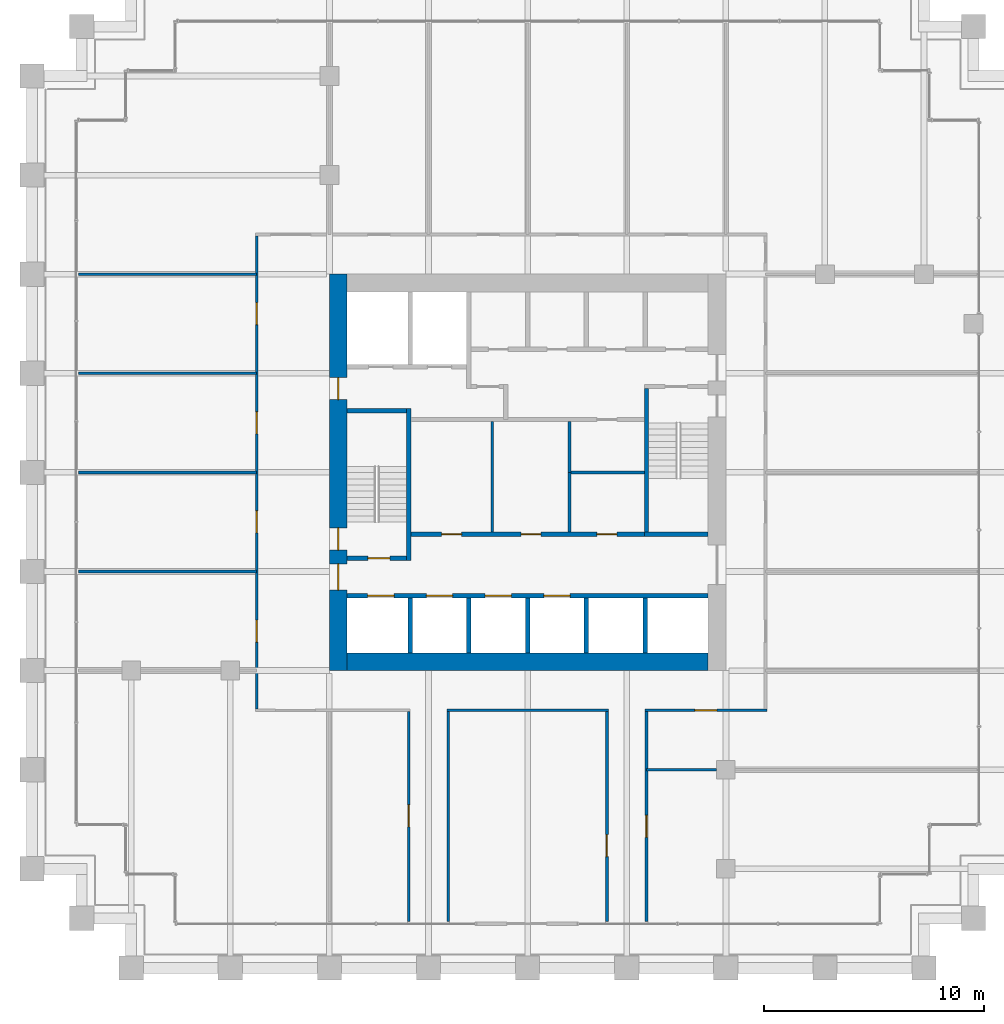
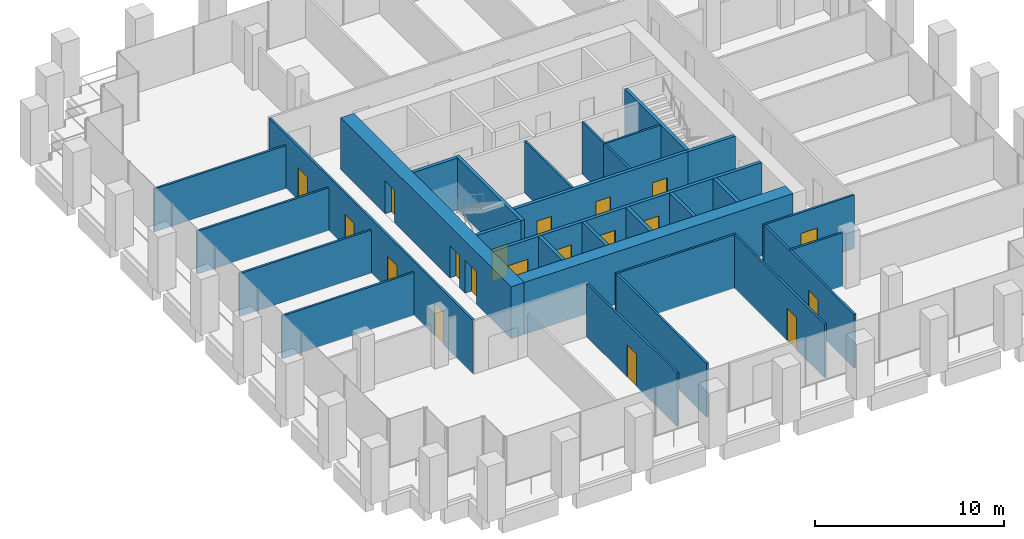
# One storey, part 50 of 56: 30 walls, 19 doors, 19 openings.
"""IFC4 building model written with IfcOpenShell, lengths in metres."""

from ifc_helpers import new_model, si_unit, direction, frame, frame_2d, origin, place, context, subcontext, project, spatial, rectangle, extrude, material, layer, layer_set, type_object, element, fill, save


model = new_model("IFC4")

# Units and contexts
model_context = context("Model", 3, precision=1e-05, world=origin(), true_north=direction((0.0, 1.0)))
body_context = subcontext(model_context, "Body", "Model", "MODEL_VIEW")
ifc_project = project(units=[si_unit("LENGTHUNIT", "METRE"), si_unit("AREAUNIT", "SQUARE_METRE"), si_unit("VOLUMEUNIT", "CUBIC_METRE"), si_unit("PLANEANGLEUNIT", "RADIAN"), si_unit("MASSUNIT", "GRAM", prefix="KILO")], contexts=[model_context])

# Site, building, storey
site_placement = place(None, origin())
site = spatial("IfcSite", under=ifc_project, at=site_placement, CompositionType="ELEMENT")
building_placement = place(site_placement, origin())
building = spatial("IfcBuilding", under=site, at=building_placement, Name="Altepetl Exchange Towers", CompositionType="ELEMENT")
storey_placement = place(building_placement, frame((0.0, 0.0, 69.0)))
storey = spatial("IfcBuildingStorey", under=building, at=storey_placement, Name="L16", CompositionType="ELEMENT", Elevation=69.0)

# Wall
ifc_material_1 = material(Name="Concrete C70/85", Category="concrete")
ifc_layer_1 = layer(ifc_material_1, 0.800048828125)
ifc_layer_set_1 = layer_set([ifc_layer_1], Name="Concrete C70/85")
wall_type_1 = type_object("IfcWallType", Name="Core wall 800 reinforced concrete", PredefinedType="SHEAR", material=ifc_layer_set_1)
wall_1_placement = place(storey_placement, frame((41.300048828125, 40.89990234375, 0.0)))
element("IfcWall", 1, at=wall_1_placement, inside=storey, type_object=wall_type_1, Name="wall:A:L16:K-coreS", PredefinedType="SHEAR", context=body_context, shape_type="SweptSolid", body=[
    extrude(rectangle(XDim=16.39990234375, YDim=0.800048828125, at=frame_2d((8.199951171875, 0.0))), origin(), (0.0, 0.0, 1.0), 3.35009765625),
])

# Wall, openings, doors
wall_2_placement = place(storey_placement, frame((40.89990234375, 40.5, 0.0), z_axis=(0.0, 0.0, 1.0), x_axis=(0.0, 1.0, 0.0)))
wall_2 = element("IfcWall", 2, at=wall_2_placement, inside=storey, type_object=wall_type_1, Name="wall:A:L16:K-coreW", PredefinedType="SHEAR", context=body_context, shape_type="SweptSolid", body=[
    extrude(rectangle(XDim=18.0, YDim=0.800048828125, at=frame_2d((9.0, 0.0))), origin(), (0.0, 0.0, 1.0), 3.35009765625),
])
opening_1_placement = place(wall_2_placement, frame((3.64990234375, 0.0, 0.0)))
opening_1 = element("IfcOpeningElement", 3, at=opening_1_placement, cuts=wall_2, Name="Opening L16.A62", PredefinedType="OPENING", context=body_context, shape_type="SweptSolid", body=[
    extrude(rectangle(XDim=1.199951171875, YDim=2.10009765625, at=frame_2d((0.60009765625, 1.050048828125))), frame((0.0, 0.41015625, 0.0), z_axis=(0.0, -1.0, 0.0), x_axis=(1.0, 0.0, 0.0)), (0.0, 0.0, 1.0), 0.820068359375),
])
opening_2_placement = place(wall_2_placement, frame((5.47509765625, 0.0, 0.0)))
opening_2 = element("IfcOpeningElement", 4, at=opening_2_placement, cuts=wall_2, Name="Opening L16.A64", PredefinedType="OPENING", context=body_context, shape_type="SweptSolid", body=[
    extrude(rectangle(XDim=1.0, YDim=2.10009765625, at=frame_2d((0.5, 1.050048828125))), frame((0.0, 0.41015625, 0.0), z_axis=(0.0, -1.0, 0.0), x_axis=(1.0, 0.0, 0.0)), (0.0, 0.0, 1.0), 0.820068359375),
])
opening_3_placement = place(wall_2_placement, frame((12.300048828125, 0.0, 0.0)))
opening_3 = element("IfcOpeningElement", 5, at=opening_3_placement, cuts=wall_2, Name="Opening L16.A68", PredefinedType="OPENING", context=body_context, shape_type="SweptSolid", body=[
    extrude(rectangle(XDim=1.0, YDim=2.10009765625, at=frame_2d((0.5, 1.050048828125))), frame((0.0, 0.41015625, 0.0), z_axis=(0.0, -1.0, 0.0), x_axis=(1.0, 0.0, 0.0)), (0.0, 0.0, 1.0), 0.820068359375),
])
ifc_material_2 = material(Name="Steel and timber fire door", Category="steel")
door_type_1 = type_object("IfcDoorType", Name="Fire door 1000 x 2100 stair and lobby", OperationType="SINGLE_SWING_LEFT", PredefinedType="DOOR", material=ifc_material_2)
door_1_placement = place(opening_2_placement, frame((1.0, 0.0, 0.0), x_axis=(-1.0, 0.0, 0.0)))
door_1 = element("IfcDoor", 6, at=door_1_placement, inside=storey, type_object=door_type_1, Name="door:A:L16:K-dS1x", OperationType="SINGLE_SWING_RIGHT", OverallHeight=2.10009765625, OverallWidth=1.0, PredefinedType="DOOR", context=body_context, shape_type="SweptSolid", body=[
    extrude(rectangle(XDim=1.0, YDim=2.10009765625, at=frame_2d((0.5, 1.050048828125))), frame((0.0, 0.02490234375, 0.0), z_axis=(0.0, -1.0, 0.0), x_axis=(1.0, 0.0, 0.0)), (0.0, 0.0, 1.0), 0.050048828125),
])
fill(opening_2, door_1)
door_2_placement = place(opening_3_placement, frame((1.0, 0.0, 0.0), x_axis=(-1.0, 0.0, 0.0)))
door_2 = element("IfcDoor", 7, at=door_2_placement, inside=storey, type_object=door_type_1, Name="door:A:L16:K-dffW", OperationType="SINGLE_SWING_LEFT", OverallHeight=2.10009765625, OverallWidth=1.0, PredefinedType="DOOR", context=body_context, shape_type="SweptSolid", body=[
    extrude(rectangle(XDim=1.0, YDim=2.10009765625, at=frame_2d((0.5, 1.050048828125))), frame((0.0, 0.02490234375, 0.0), z_axis=(0.0, -1.0, 0.0), x_axis=(1.0, 0.0, 0.0)), (0.0, 0.0, 1.0), 0.050048828125),
])
fill(opening_3, door_2)
door_type_2 = type_object("IfcDoorType", Name="Fire door 1200 x 2100 lobby entry", OperationType="SINGLE_SWING_LEFT", PredefinedType="DOOR", material=ifc_material_2)
door_3_placement = place(opening_1_placement, frame((1.199951171875, 0.0, 0.0), x_axis=(-1.0, 0.0, 0.0)))
door_3 = element("IfcDoor", 8, at=door_3_placement, inside=storey, type_object=door_type_2, Name="door:A:L16:K-dLSW", OperationType="SINGLE_SWING_LEFT", OverallHeight=2.10009765625, OverallWidth=1.199951171875, PredefinedType="DOOR", context=body_context, shape_type="SweptSolid", body=[
    extrude(rectangle(XDim=1.199951171875, YDim=2.10009765625, at=frame_2d((0.60009765625, 1.050048828125))), frame((0.0, 0.02490234375, 0.0), z_axis=(0.0, -1.0, 0.0), x_axis=(1.0, 0.0, 0.0)), (0.0, 0.0, 1.0), 0.050048828125),
])
fill(opening_1, door_3)

ifc_material_3 = material(Name="Concrete blockwork", Category="masonry")
ifc_layer_2 = layer(ifc_material_3, 0.199951171875)
ifc_layer_set_2 = layer_set([ifc_layer_2], Name="Concrete blockwork")
wall_type_2 = type_object("IfcWallType", Name="Lobby wall 200 blockwork", PredefinedType="PARTITIONING", material=ifc_layer_set_2)
wall_3_placement = place(storey_placement, frame((44.199951171875, 46.699951171875, 0.0)))
wall_3 = element("IfcWall", 9, at=wall_3_placement, inside=storey, type_object=wall_type_2, Name="wall:A:L16:K-zoneS", PredefinedType="PARTITIONING", context=body_context, shape_type="SweptSolid", body=[
    extrude(rectangle(XDim=10.60009765625, YDim=0.199951171875, at=frame_2d((5.300048828125, 0.0))), origin(), (0.0, 0.0, 1.0), 3.35009765625),
])
opening_4_placement = place(wall_3_placement, frame((1.39990234375, 0.0, 0.0)))
opening_4 = element("IfcOpeningElement", 10, at=opening_4_placement, cuts=wall_3, Name="Opening L16.A73", PredefinedType="OPENING", context=body_context, shape_type="SweptSolid", body=[
    extrude(rectangle(XDim=0.89990234375, YDim=2.10009765625, at=frame_2d((0.449951171875, 1.050048828125))), frame((0.0, 0.10986328125, 0.0), z_axis=(0.0, -1.0, 0.0), x_axis=(1.0, 0.0, 0.0)), (0.0, 0.0, 1.0), 0.219970703125),
])
opening_5_placement = place(wall_3_placement, frame((5.0, 0.0, 0.0)))
opening_5 = element("IfcOpeningElement", 11, at=opening_5_placement, cuts=wall_3, Name="Opening L16.A74", PredefinedType="OPENING", context=body_context, shape_type="SweptSolid", body=[
    extrude(rectangle(XDim=0.89990234375, YDim=2.10009765625, at=frame_2d((0.449951171875, 1.050048828125))), frame((0.0, 0.10986328125, 0.0), z_axis=(0.0, -1.0, 0.0), x_axis=(1.0, 0.0, 0.0)), (0.0, 0.0, 1.0), 0.219970703125),
])
opening_6_placement = place(wall_3_placement, frame((8.449951171875, 0.0, 0.0)))
opening_6 = element("IfcOpeningElement", 12, at=opening_6_placement, cuts=wall_3, Name="Opening L16.A75", PredefinedType="OPENING", context=body_context, shape_type="SweptSolid", body=[
    extrude(rectangle(XDim=0.89990234375, YDim=2.10009765625, at=frame_2d((0.449951171875, 1.050048828125))), frame((0.0, 0.10986328125, 0.0), z_axis=(0.0, -1.0, 0.0), x_axis=(1.0, 0.0, 0.0)), (0.0, 0.0, 1.0), 0.219970703125),
])
door_type_3 = type_object("IfcDoorType", Name="Fire door 900 x 2100 service room", OperationType="SINGLE_SWING_LEFT", PredefinedType="DOOR", material=ifc_material_2)
door_4_placement = place(opening_4_placement, origin())
door_4 = element("IfcDoor", 13, at=door_4_placement, inside=storey, type_object=door_type_3, Name="door:A:L16:K-dz1", OperationType="SINGLE_SWING_LEFT", OverallHeight=2.10009765625, OverallWidth=0.89990234375, PredefinedType="DOOR", context=body_context, shape_type="SweptSolid", body=[
    extrude(rectangle(XDim=0.89990234375, YDim=2.10009765625, at=frame_2d((0.449951171875, 1.050048828125))), frame((0.0, 0.02490234375, 0.0), z_axis=(0.0, -1.0, 0.0), x_axis=(1.0, 0.0, 0.0)), (0.0, 0.0, 1.0), 0.050048828125),
])
fill(opening_4, door_4)
door_5_placement = place(opening_5_placement, origin())
door_5 = element("IfcDoor", 14, at=door_5_placement, inside=storey, type_object=door_type_3, Name="door:A:L16:K-dz2", OperationType="SINGLE_SWING_RIGHT", OverallHeight=2.10009765625, OverallWidth=0.89990234375, PredefinedType="DOOR", context=body_context, shape_type="SweptSolid", body=[
    extrude(rectangle(XDim=0.89990234375, YDim=2.10009765625, at=frame_2d((0.449951171875, 1.050048828125))), frame((0.0, 0.02490234375, 0.0), z_axis=(0.0, -1.0, 0.0), x_axis=(1.0, 0.0, 0.0)), (0.0, 0.0, 1.0), 0.050048828125),
])
fill(opening_5, door_5)
door_6_placement = place(opening_6_placement, origin())
door_6 = element("IfcDoor", 15, at=door_6_placement, inside=storey, type_object=door_type_3, Name="door:A:L16:K-dz3", OperationType="SINGLE_SWING_RIGHT", OverallHeight=2.10009765625, OverallWidth=0.89990234375, PredefinedType="DOOR", context=body_context, shape_type="SweptSolid", body=[
    extrude(rectangle(XDim=0.89990234375, YDim=2.10009765625, at=frame_2d((0.449951171875, 1.050048828125))), frame((0.0, 0.02490234375, 0.0), z_axis=(0.0, -1.0, 0.0), x_axis=(1.0, 0.0, 0.0)), (0.0, 0.0, 1.0), 0.050048828125),
])
fill(opening_6, door_6)

# Walls
ifc_material_4 = material(Name="Gypsum board on steel studs", Category="steel")
ifc_layer_3 = layer(ifc_material_4, 0.125)
ifc_layer_set_3 = layer_set([ifc_layer_3], Name="Gypsum board on steel studs")
wall_type_3 = type_object("IfcWallType", Name="Partition 125 gypsum board on steel studs", PredefinedType="PARTITIONING", material=ifc_layer_set_3)
wall_4_placement = place(storey_placement, frame((47.89990234375, 46.800048828125, 0.0), z_axis=(0.0, 0.0, 1.0), x_axis=(0.0, 1.0, 0.0)))
element("IfcWall", 16, at=wall_4_placement, inside=storey, type_object=wall_type_3, Name="wall:A:L16:K-zp1", PredefinedType="PARTITIONING", context=body_context, shape_type="SweptSolid", body=[
    extrude(rectangle(XDim=5.0, YDim=0.125, at=frame_2d((2.5, 0.0))), origin(), (0.0, 0.0, 1.0), 3.35009765625),
])
wall_5_placement = place(storey_placement, frame((51.39990234375, 46.800048828125, 0.0), z_axis=(0.0, 0.0, 1.0), x_axis=(0.0, 1.0, 0.0)))
element("IfcWall", 17, at=wall_5_placement, inside=storey, type_object=wall_type_3, Name="wall:A:L16:K-zp2", PredefinedType="PARTITIONING", context=body_context, shape_type="SweptSolid", body=[
    extrude(rectangle(XDim=2.762451171875, YDim=0.125, at=frame_2d((1.38134765625, 0.0))), origin(), (0.0, 0.0, 1.0), 3.35009765625),
])
wall_6_placement = place(storey_placement, frame((54.800048828125, 49.5, 0.0), z_axis=(0.0, 0.0, 1.0), x_axis=(-1.0, 0.0, 0.0)))
element("IfcWall", 18, at=wall_6_placement, inside=storey, type_object=wall_type_3, Name="wall:A:L16:K-zp3", PredefinedType="PARTITIONING", context=body_context, shape_type="SweptSolid", body=[
    extrude(rectangle(XDim=3.337646484375, YDim=0.125, at=frame_2d((1.6689453125, 0.0))), origin(), (0.0, 0.0, 1.0), 3.35009765625),
])
wall_7_placement = place(storey_placement, frame((51.39990234375, 49.5, 0.0), z_axis=(0.0, 0.0, 1.0), x_axis=(0.0, 1.0, 0.0)))
element("IfcWall", 19, at=wall_7_placement, inside=storey, type_object=wall_type_3, Name="wall:A:L16:K-zp4", PredefinedType="PARTITIONING", context=body_context, shape_type="SweptSolid", body=[
    extrude(rectangle(XDim=2.300048828125, YDim=0.125, at=frame_2d((1.14990234375, 0.0))), origin(), (0.0, 0.0, 1.0), 3.35009765625),
])
wall_8_placement = place(storey_placement, frame((54.89990234375, 36.0, 0.0)))
element("IfcWall", 20, at=wall_8_placement, inside=storey, type_object=wall_type_3, Name="wall:A:L16:P01", PredefinedType="PARTITIONING", context=body_context, shape_type="SweptSolid", body=[
    extrude(rectangle(XDim=3.175048828125, YDim=0.125, at=frame_2d((1.58740234375, 0.0))), origin(), (0.0, 0.0, 1.0), 3.449951171875),
])
wall_9_placement = place(storey_placement, frame((45.83740234375, 38.699951171875, 0.0)))
element("IfcWall", 21, at=wall_9_placement, inside=storey, type_object=wall_type_3, Name="wall:A:L16:P04", PredefinedType="PARTITIONING", context=body_context, shape_type="SweptSolid", body=[
    extrude(rectangle(XDim=7.3251953125, YDim=0.125, at=frame_2d((3.66259765625, 0.0))), origin(), (0.0, 0.0, 1.0), 3.449951171875),
])

# Wall, opening, door
wall_10_placement = place(storey_placement, frame((54.83740234375, 38.699951171875, 0.0)))
wall_10 = element("IfcWall", 22, at=wall_10_placement, inside=storey, type_object=wall_type_3, Name="wall:A:L16:P05", PredefinedType="PARTITIONING", context=body_context, shape_type="SweptSolid", body=[
    extrude(rectangle(XDim=5.525146484375, YDim=0.125, at=frame_2d((2.7626953125, 0.0))), origin(), (0.0, 0.0, 1.0), 3.449951171875),
])
opening_7_placement = place(wall_10_placement, frame((2.262451171875, 0.0, 0.0)))
opening_7 = element("IfcOpeningElement", 23, at=opening_7_placement, cuts=wall_10, Name="Opening L16.A07", PredefinedType="OPENING", context=body_context, shape_type="SweptSolid", body=[
    extrude(rectangle(XDim=1.0, YDim=2.10009765625, at=frame_2d((0.5, 1.050048828125))), frame((0.0, 0.072509765625, 0.0), z_axis=(0.0, -1.0, 0.0), x_axis=(1.0, 0.0, 0.0)), (0.0, 0.0, 1.0), 0.14501953125),
])
door_type_4 = type_object("IfcDoorType", Name="Fire door 1000 x 2100 single leaf", OperationType="SINGLE_SWING_LEFT", PredefinedType="DOOR", material=ifc_material_2)
door_7_placement = place(opening_7_placement, frame((1.0, 0.0, 0.0), x_axis=(-1.0, 0.0, 0.0)))
door_7 = element("IfcDoor", 24, at=door_7_placement, inside=storey, type_object=door_type_4, Name="door:A:L16:07", OperationType="SINGLE_SWING_RIGHT", OverallHeight=2.10009765625, OverallWidth=1.0, PredefinedType="DOOR", context=body_context, shape_type="SweptSolid", body=[
    extrude(rectangle(XDim=1.0, YDim=2.10009765625, at=frame_2d((0.5, 1.050048828125))), frame((0.0, 0.02490234375, 0.0), z_axis=(0.0, -1.0, 0.0), x_axis=(1.0, 0.0, 0.0)), (0.0, 0.0, 1.0), 0.050048828125),
])
fill(opening_7, door_7)

# Walls
for number, where, name in (
    (25, (29.10009765625, 45.0, 0.0), "wall:A:L16:P10"),
    (26, (29.10009765625, 49.5, 0.0), "wall:A:L16:P12"),
    (27, (29.10009765625, 54.0, 0.0), "wall:A:L16:P14"),
    (28, (29.10009765625, 58.5, 0.0), "wall:A:L16:P16"),
):
    element("IfcWall", number, at=place(storey_placement, frame(where)), inside=storey, type_object=wall_type_3, Name=name, PredefinedType="PARTITIONING", context=body_context, shape_type="SweptSolid", body=[
        extrude(rectangle(XDim=8.099853515625, YDim=0.125, at=frame_2d((4.0498046875, 0.0))), origin(), (0.0, 0.0, 1.0), 2.76611328125),
    ])

# Wall, openings, doors
wall_11_placement = place(storey_placement, frame((37.199951171875, 38.762451171875, 0.0), z_axis=(0.0, 0.0, 1.0), x_axis=(0.0, 1.0, 0.0)))
wall_11 = element("IfcWall", 29, at=wall_11_placement, inside=storey, type_object=wall_type_3, Name="wall:A:L16:P21", PredefinedType="PARTITIONING", context=body_context, shape_type="SweptSolid", body=[
    extrude(rectangle(XDim=21.47509765625, YDim=0.125, at=frame_2d((10.737548828125, 0.0))), origin(), (0.0, 0.0, 1.0), 3.449951171875),
])
opening_8_placement = place(wall_11_placement, frame((7.987548828125, 0.0, 0.0)))
opening_8 = element("IfcOpeningElement", 30, at=opening_8_placement, cuts=wall_11, Name="Opening L16.A01", PredefinedType="OPENING", context=body_context, shape_type="SweptSolid", body=[
    extrude(rectangle(XDim=1.0, YDim=2.10009765625, at=frame_2d((0.5, 1.050048828125))), frame((0.0, 0.072509765625, 0.0), z_axis=(0.0, -1.0, 0.0), x_axis=(1.0, 0.0, 0.0)), (0.0, 0.0, 1.0), 0.14501953125),
])
opening_9_placement = place(wall_11_placement, frame((3.032470703125, 0.0, 0.0)))
opening_9 = element("IfcOpeningElement", 31, at=opening_9_placement, cuts=wall_11, Name="Opening L16.A02", PredefinedType="OPENING", context=body_context, shape_type="SweptSolid", body=[
    extrude(rectangle(XDim=1.0, YDim=2.10009765625, at=frame_2d((0.5, 1.050048828125))), frame((0.0, 0.072509765625, 0.0), z_axis=(0.0, -1.0, 0.0), x_axis=(1.0, 0.0, 0.0)), (0.0, 0.0, 1.0), 0.14501953125),
])
opening_10_placement = place(wall_11_placement, frame((17.4423828125, 0.0, 0.0)))
opening_10 = element("IfcOpeningElement", 32, at=opening_10_placement, cuts=wall_11, Name="Opening L16.A18", PredefinedType="OPENING", context=body_context, shape_type="SweptSolid", body=[
    extrude(rectangle(XDim=1.0, YDim=2.10009765625, at=frame_2d((0.5, 1.050048828125))), frame((0.0, 0.072509765625, 0.0), z_axis=(0.0, -1.0, 0.0), x_axis=(1.0, 0.0, 0.0)), (0.0, 0.0, 1.0), 0.14501953125),
])
opening_11_placement = place(wall_11_placement, frame((12.487548828125, 0.0, 0.0)))
opening_11 = element("IfcOpeningElement", 33, at=opening_11_placement, cuts=wall_11, Name="Opening L16.A19", PredefinedType="OPENING", context=body_context, shape_type="SweptSolid", body=[
    extrude(rectangle(XDim=1.0, YDim=2.10009765625, at=frame_2d((0.5, 1.050048828125))), frame((0.0, 0.072509765625, 0.0), z_axis=(0.0, -1.0, 0.0), x_axis=(1.0, 0.0, 0.0)), (0.0, 0.0, 1.0), 0.14501953125),
])
door_8_placement = place(opening_8_placement, origin())
door_8 = element("IfcDoor", 34, at=door_8_placement, inside=storey, type_object=door_type_4, Name="door:A:L16:01", OperationType="SINGLE_SWING_RIGHT", OverallHeight=2.10009765625, OverallWidth=1.0, PredefinedType="DOOR", context=body_context, shape_type="SweptSolid", body=[
    extrude(rectangle(XDim=1.0, YDim=2.10009765625, at=frame_2d((0.5, 1.050048828125))), frame((0.0, 0.02490234375, 0.0), z_axis=(0.0, -1.0, 0.0), x_axis=(1.0, 0.0, 0.0)), (0.0, 0.0, 1.0), 0.050048828125),
])
fill(opening_8, door_8)
door_9_placement = place(opening_9_placement, origin())
door_9 = element("IfcDoor", 35, at=door_9_placement, inside=storey, type_object=door_type_4, Name="door:A:L16:02", OperationType="SINGLE_SWING_LEFT", OverallHeight=2.10009765625, OverallWidth=1.0, PredefinedType="DOOR", context=body_context, shape_type="SweptSolid", body=[
    extrude(rectangle(XDim=1.0, YDim=2.10009765625, at=frame_2d((0.5, 1.050048828125))), frame((0.0, 0.02490234375, 0.0), z_axis=(0.0, -1.0, 0.0), x_axis=(1.0, 0.0, 0.0)), (0.0, 0.0, 1.0), 0.050048828125),
])
fill(opening_9, door_9)
door_10_placement = place(opening_10_placement, origin())
door_10 = element("IfcDoor", 36, at=door_10_placement, inside=storey, type_object=door_type_4, Name="door:A:L16:18", OperationType="SINGLE_SWING_LEFT", OverallHeight=2.10009765625, OverallWidth=1.0, PredefinedType="DOOR", context=body_context, shape_type="SweptSolid", body=[
    extrude(rectangle(XDim=1.0, YDim=2.10009765625, at=frame_2d((0.5, 1.050048828125))), frame((0.0, 0.02490234375, 0.0), z_axis=(0.0, -1.0, 0.0), x_axis=(1.0, 0.0, 0.0)), (0.0, 0.0, 1.0), 0.050048828125),
])
fill(opening_10, door_10)
door_11_placement = place(opening_11_placement, origin())
door_11 = element("IfcDoor", 37, at=door_11_placement, inside=storey, type_object=door_type_4, Name="door:A:L16:19", OperationType="SINGLE_SWING_RIGHT", OverallHeight=2.10009765625, OverallWidth=1.0, PredefinedType="DOOR", context=body_context, shape_type="SweptSolid", body=[
    extrude(rectangle(XDim=1.0, YDim=2.10009765625, at=frame_2d((0.5, 1.050048828125))), frame((0.0, 0.02490234375, 0.0), z_axis=(0.0, -1.0, 0.0), x_axis=(1.0, 0.0, 0.0)), (0.0, 0.0, 1.0), 0.050048828125),
])
fill(opening_11, door_11)

# Wall, opening, door
wall_12_placement = place(storey_placement, frame((44.10009765625, 29.10009765625, 0.0), z_axis=(0.0, 0.0, 1.0), x_axis=(0.0, 1.0, 0.0)))
wall_12 = element("IfcWall", 38, at=wall_12_placement, inside=storey, type_object=wall_type_3, Name="wall:A:L16:P26", PredefinedType="PARTITIONING", context=body_context, shape_type="SweptSolid", body=[
    extrude(rectangle(XDim=9.537353515625, YDim=0.125, at=frame_2d((4.7685546875, 0.0))), origin(), (0.0, 0.0, 1.0), 3.449951171875),
])
opening_12_placement = place(wall_12_placement, frame((4.300048828125, 0.0, 0.0)))
opening_12 = element("IfcOpeningElement", 39, at=opening_12_placement, cuts=wall_12, Name="Opening L16.A04", PredefinedType="OPENING", context=body_context, shape_type="SweptSolid", body=[
    extrude(rectangle(XDim=1.0, YDim=2.10009765625, at=frame_2d((0.5, 1.050048828125))), frame((0.0, 0.072509765625, 0.0), z_axis=(0.0, -1.0, 0.0), x_axis=(1.0, 0.0, 0.0)), (0.0, 0.0, 1.0), 0.14501953125),
])
door_12_placement = place(opening_12_placement, origin())
door_12 = element("IfcDoor", 40, at=door_12_placement, inside=storey, type_object=door_type_4, Name="door:A:L16:04", OperationType="SINGLE_SWING_LEFT", OverallHeight=2.10009765625, OverallWidth=1.0, PredefinedType="DOOR", context=body_context, shape_type="SweptSolid", body=[
    extrude(rectangle(XDim=1.0, YDim=2.10009765625, at=frame_2d((0.5, 1.050048828125))), frame((0.0, 0.02490234375, 0.0), z_axis=(0.0, -1.0, 0.0), x_axis=(1.0, 0.0, 0.0)), (0.0, 0.0, 1.0), 0.050048828125),
])
fill(opening_12, door_12)

# Wall
wall_13_placement = place(storey_placement, frame((45.89990234375, 29.10009765625, 0.0), z_axis=(0.0, 0.0, 1.0), x_axis=(0.0, 1.0, 0.0)))
element("IfcWall", 41, at=wall_13_placement, inside=storey, type_object=wall_type_3, Name="wall:A:L16:P28", PredefinedType="PARTITIONING", context=body_context, shape_type="SweptSolid", body=[
    extrude(rectangle(XDim=9.537353515625, YDim=0.125, at=frame_2d((4.7685546875, 0.0))), origin(), (0.0, 0.0, 1.0), 3.449951171875),
])

# Wall, opening, door
wall_14_placement = place(storey_placement, frame((53.10009765625, 29.10009765625, 0.0), z_axis=(0.0, 0.0, 1.0), x_axis=(0.0, 1.0, 0.0)))
wall_14 = element("IfcWall", 42, at=wall_14_placement, inside=storey, type_object=wall_type_3, Name="wall:A:L16:P30", PredefinedType="PARTITIONING", context=body_context, shape_type="SweptSolid", body=[
    extrude(rectangle(XDim=9.537353515625, YDim=0.125, at=frame_2d((4.7685546875, 0.0))), origin(), (0.0, 0.0, 1.0), 3.449951171875),
])
opening_13_placement = place(wall_14_placement, frame((2.952880859375, 0.0, 0.0)))
opening_13 = element("IfcOpeningElement", 43, at=opening_13_placement, cuts=wall_14, Name="Opening L16.A05", PredefinedType="OPENING", context=body_context, shape_type="SweptSolid", body=[
    extrude(rectangle(XDim=1.0, YDim=2.10009765625, at=frame_2d((0.5, 1.050048828125))), frame((0.0, 0.072509765625, 0.0), z_axis=(0.0, -1.0, 0.0), x_axis=(1.0, 0.0, 0.0)), (0.0, 0.0, 1.0), 0.14501953125),
])
door_13_placement = place(opening_13_placement, origin())
door_13 = element("IfcDoor", 44, at=door_13_placement, inside=storey, type_object=door_type_4, Name="door:A:L16:05", OperationType="SINGLE_SWING_RIGHT", OverallHeight=2.10009765625, OverallWidth=1.0, PredefinedType="DOOR", context=body_context, shape_type="SweptSolid", body=[
    extrude(rectangle(XDim=1.0, YDim=2.10009765625, at=frame_2d((0.5, 1.050048828125))), frame((0.0, 0.02490234375, 0.0), z_axis=(0.0, -1.0, 0.0), x_axis=(1.0, 0.0, 0.0)), (0.0, 0.0, 1.0), 0.050048828125),
])
fill(opening_13, door_13)

wall_15_placement = place(storey_placement, frame((54.89990234375, 29.10009765625, 0.0), z_axis=(0.0, 0.0, 1.0), x_axis=(0.0, 1.0, 0.0)))
wall_15 = element("IfcWall", 45, at=wall_15_placement, inside=storey, type_object=wall_type_3, Name="wall:A:L16:P32", PredefinedType="PARTITIONING", context=body_context, shape_type="SweptSolid", body=[
    extrude(rectangle(XDim=9.537353515625, YDim=0.125, at=frame_2d((4.7685546875, 0.0))), origin(), (0.0, 0.0, 1.0), 3.449951171875),
])
opening_14_placement = place(wall_15_placement, frame((3.824951171875, 0.0, 0.0)))
opening_14 = element("IfcOpeningElement", 46, at=opening_14_placement, cuts=wall_15, Name="Opening L16.A06", PredefinedType="OPENING", context=body_context, shape_type="SweptSolid", body=[
    extrude(rectangle(XDim=1.0, YDim=2.10009765625, at=frame_2d((0.5, 1.050048828125))), frame((0.0, 0.072509765625, 0.0), z_axis=(0.0, -1.0, 0.0), x_axis=(1.0, 0.0, 0.0)), (0.0, 0.0, 1.0), 0.14501953125),
])
door_14_placement = place(opening_14_placement, frame((1.0, 0.0, 0.0), x_axis=(-1.0, 0.0, 0.0)))
door_14 = element("IfcDoor", 47, at=door_14_placement, inside=storey, type_object=door_type_4, Name="door:A:L16:06", OperationType="SINGLE_SWING_RIGHT", OverallHeight=2.10009765625, OverallWidth=1.0, PredefinedType="DOOR", context=body_context, shape_type="SweptSolid", body=[
    extrude(rectangle(XDim=1.0, YDim=2.10009765625, at=frame_2d((0.5, 1.050048828125))), frame((0.0, 0.02490234375, 0.0), z_axis=(0.0, -1.0, 0.0), x_axis=(1.0, 0.0, 0.0)), (0.0, 0.0, 1.0), 0.050048828125),
])
fill(opening_14, door_14)

# Walls
ifc_material_5 = material(Name="Concrete C40/50", Category="concrete")
ifc_layer_4 = layer(ifc_material_5, 0.199951171875)
ifc_layer_set_4 = layer_set([ifc_layer_4], Name="Concrete C40/50")
wall_type_4 = type_object("IfcWallType", Name="Shaft wall 200 reinforced concrete", PredefinedType="SHEAR", material=ifc_layer_set_4)
for number, where, z_axis, x_axis, name in (
    (48, (44.166748046875, 41.300048828125, 0.0), (0.0, 0.0, 1.0), (0.0, 1.0, 0.0), "wall:A:L16:K-divS1"),
    (49, (46.833251953125, 41.300048828125, 0.0), (0.0, 0.0, 1.0), (0.0, 1.0, 0.0), "wall:A:L16:K-divS2"),
    (50, (49.5, 41.300048828125, 0.0), (0.0, 0.0, 1.0), (0.0, 1.0, 0.0), "wall:A:L16:K-divS3"),
    (51, (52.166748046875, 41.300048828125, 0.0), (0.0, 0.0, 1.0), (0.0, 1.0, 0.0), "wall:A:L16:K-divS4"),
    (52, (54.833251953125, 41.300048828125, 0.0), (0.0, 0.0, 1.0), (0.0, 1.0, 0.0), "wall:A:L16:K-divS5"),
):
    element("IfcWall", number, at=place(storey_placement, frame(where, z_axis=z_axis, x_axis=x_axis)), inside=storey, type_object=wall_type_4, Name=name, PredefinedType="SHEAR", context=body_context, shape_type="SweptSolid", body=[
        extrude(rectangle(XDim=2.5, YDim=0.199951171875, at=frame_2d((1.25, 0.0))), origin(), (0.0, 0.0, 1.0), 3.35009765625),
    ])

# Wall, openings, doors
wall_16_placement = place(storey_placement, frame((41.300048828125, 43.89990234375, 0.0)))
wall_16 = element("IfcWall", 53, at=wall_16_placement, inside=storey, type_object=wall_type_4, Name="wall:A:L16:K-frontS", PredefinedType="SHEAR", context=body_context, shape_type="SweptSolid", body=[
    extrude(rectangle(XDim=16.39990234375, YDim=0.199951171875, at=frame_2d((8.199951171875, 0.0))), origin(), (0.0, 0.0, 1.0), 3.35009765625),
])
opening_15_placement = place(wall_16_placement, frame((0.933349609375, 0.0, 0.0)))
opening_15 = element("IfcOpeningElement", 54, at=opening_15_placement, cuts=wall_16, Name="Opening L16.A79", PredefinedType="OPENING", context=body_context, shape_type="SweptSolid", body=[
    extrude(rectangle(XDim=1.199951171875, YDim=2.10009765625, at=frame_2d((0.60009765625, 1.050048828125))), frame((0.0, 0.10986328125, 0.0), z_axis=(0.0, -1.0, 0.0), x_axis=(1.0, 0.0, 0.0)), (0.0, 0.0, 1.0), 0.219970703125),
])
opening_16_placement = place(wall_16_placement, frame((3.60009765625, 0.0, 0.0)))
opening_16 = element("IfcOpeningElement", 55, at=opening_16_placement, cuts=wall_16, Name="Opening L16.A80", PredefinedType="OPENING", context=body_context, shape_type="SweptSolid", body=[
    extrude(rectangle(XDim=1.199951171875, YDim=2.10009765625, at=frame_2d((0.60009765625, 1.050048828125))), frame((0.0, 0.10986328125, 0.0), z_axis=(0.0, -1.0, 0.0), x_axis=(1.0, 0.0, 0.0)), (0.0, 0.0, 1.0), 0.219970703125),
])
opening_17_placement = place(wall_16_placement, frame((6.2666015625, 0.0, 0.0)))
opening_17 = element("IfcOpeningElement", 56, at=opening_17_placement, cuts=wall_16, Name="Opening L16.A81", PredefinedType="OPENING", context=body_context, shape_type="SweptSolid", body=[
    extrude(rectangle(XDim=1.199951171875, YDim=2.10009765625, at=frame_2d((0.60009765625, 1.050048828125))), frame((0.0, 0.10986328125, 0.0), z_axis=(0.0, -1.0, 0.0), x_axis=(1.0, 0.0, 0.0)), (0.0, 0.0, 1.0), 0.219970703125),
])
opening_18_placement = place(wall_16_placement, frame((8.933349609375, 0.0, 0.0)))
opening_18 = element("IfcOpeningElement", 57, at=opening_18_placement, cuts=wall_16, Name="Opening L16.A82", PredefinedType="OPENING", context=body_context, shape_type="SweptSolid", body=[
    extrude(rectangle(XDim=1.199951171875, YDim=2.10009765625, at=frame_2d((0.60009765625, 1.050048828125))), frame((0.0, 0.10986328125, 0.0), z_axis=(0.0, -1.0, 0.0), x_axis=(1.0, 0.0, 0.0)), (0.0, 0.0, 1.0), 0.219970703125),
])
ifc_material_6 = material(Name="Stainless steel", Category="steel")
door_type_5 = type_object("IfcDoorType", Name="Lift landing door 1200 x 2100", OperationType="SLIDING_TO_LEFT", PredefinedType="DOOR", material=ifc_material_6)
door_15_placement = place(opening_15_placement, origin())
door_15 = element("IfcDoor", 58, at=door_15_placement, inside=storey, type_object=door_type_5, Name="Landing door P1", OperationType="SLIDING_TO_LEFT", OverallHeight=2.10009765625, OverallWidth=1.199951171875, PredefinedType="DOOR", context=body_context, shape_type="SweptSolid", body=[
    extrude(rectangle(XDim=1.199951171875, YDim=2.10009765625, at=frame_2d((0.60009765625, 1.050048828125))), frame((0.0, 0.02490234375, 0.0), z_axis=(0.0, -1.0, 0.0), x_axis=(1.0, 0.0, 0.0)), (0.0, 0.0, 1.0), 0.050048828125),
])
fill(opening_15, door_15)
door_16_placement = place(opening_16_placement, origin())
door_16 = element("IfcDoor", 59, at=door_16_placement, inside=storey, type_object=door_type_5, Name="Landing door P2", OperationType="SLIDING_TO_LEFT", OverallHeight=2.10009765625, OverallWidth=1.199951171875, PredefinedType="DOOR", context=body_context, shape_type="SweptSolid", body=[
    extrude(rectangle(XDim=1.199951171875, YDim=2.10009765625, at=frame_2d((0.60009765625, 1.050048828125))), frame((0.0, 0.02490234375, 0.0), z_axis=(0.0, -1.0, 0.0), x_axis=(1.0, 0.0, 0.0)), (0.0, 0.0, 1.0), 0.050048828125),
])
fill(opening_16, door_16)
door_17_placement = place(opening_17_placement, origin())
door_17 = element("IfcDoor", 60, at=door_17_placement, inside=storey, type_object=door_type_5, Name="Landing door P3", OperationType="SLIDING_TO_LEFT", OverallHeight=2.10009765625, OverallWidth=1.199951171875, PredefinedType="DOOR", context=body_context, shape_type="SweptSolid", body=[
    extrude(rectangle(XDim=1.199951171875, YDim=2.10009765625, at=frame_2d((0.60009765625, 1.050048828125))), frame((0.0, 0.02490234375, 0.0), z_axis=(0.0, -1.0, 0.0), x_axis=(1.0, 0.0, 0.0)), (0.0, 0.0, 1.0), 0.050048828125),
])
fill(opening_17, door_17)
door_18_placement = place(opening_18_placement, origin())
door_18 = element("IfcDoor", 61, at=door_18_placement, inside=storey, type_object=door_type_5, Name="Landing door P4", OperationType="SLIDING_TO_LEFT", OverallHeight=2.10009765625, OverallWidth=1.199951171875, PredefinedType="DOOR", context=body_context, shape_type="SweptSolid", body=[
    extrude(rectangle(XDim=1.199951171875, YDim=2.10009765625, at=frame_2d((0.60009765625, 1.050048828125))), frame((0.0, 0.02490234375, 0.0), z_axis=(0.0, -1.0, 0.0), x_axis=(1.0, 0.0, 0.0)), (0.0, 0.0, 1.0), 0.050048828125),
])
fill(opening_18, door_18)

# Walls
ifc_layer_5 = layer(ifc_material_5, 0.199951171875)
ifc_layer_set_5 = layer_set([ifc_layer_5], Name="Concrete C40/50")
wall_type_5 = type_object("IfcWallType", Name="Stair wall 200 reinforced concrete", PredefinedType="SHEAR", material=ifc_layer_set_5)
wall_17_placement = place(storey_placement, frame((44.10009765625, 45.5, 0.0), z_axis=(0.0, 0.0, 1.0), x_axis=(0.0, 1.0, 0.0)))
element("IfcWall", 62, at=wall_17_placement, inside=storey, type_object=wall_type_5, Name="wall:A:L16:K-stS1E", PredefinedType="SHEAR", context=body_context, shape_type="SweptSolid", body=[
    extrude(rectangle(XDim=6.89990234375, YDim=0.199951171875, at=frame_2d((3.449951171875, 0.0))), origin(), (0.0, 0.0, 1.0), 3.35009765625),
])
wall_18_placement = place(storey_placement, frame((41.300048828125, 52.300048828125, 0.0)))
element("IfcWall", 63, at=wall_18_placement, inside=storey, type_object=wall_type_5, Name="wall:A:L16:K-stS1N", PredefinedType="SHEAR", context=body_context, shape_type="SweptSolid", body=[
    extrude(rectangle(XDim=2.699951171875, YDim=0.199951171875, at=frame_2d((1.35009765625, 0.0))), origin(), (0.0, 0.0, 1.0), 3.35009765625),
])

# Wall, opening, door
wall_19_placement = place(storey_placement, frame((41.300048828125, 45.60009765625, 0.0)))
wall_19 = element("IfcWall", 64, at=wall_19_placement, inside=storey, type_object=wall_type_5, Name="wall:A:L16:K-stS1S", PredefinedType="SHEAR", context=body_context, shape_type="SweptSolid", body=[
    extrude(rectangle(XDim=2.699951171875, YDim=0.199951171875, at=frame_2d((1.35009765625, 0.0))), origin(), (0.0, 0.0, 1.0), 3.35009765625),
])
opening_19_placement = place(wall_19_placement, frame((0.949951171875, 0.0, 0.0)))
opening_19 = element("IfcOpeningElement", 65, at=opening_19_placement, cuts=wall_19, Name="Opening L16.A63", PredefinedType="OPENING", context=body_context, shape_type="SweptSolid", body=[
    extrude(rectangle(XDim=1.0, YDim=2.10009765625, at=frame_2d((0.5, 1.050048828125))), frame((0.0, 0.10986328125, 0.0), z_axis=(0.0, -1.0, 0.0), x_axis=(1.0, 0.0, 0.0)), (0.0, 0.0, 1.0), 0.219970703125),
])
door_19_placement = place(opening_19_placement, origin())
door_19 = element("IfcDoor", 66, at=door_19_placement, inside=storey, type_object=door_type_1, Name="door:A:L16:K-dS1in", OperationType="SINGLE_SWING_RIGHT", OverallHeight=2.10009765625, OverallWidth=1.0, PredefinedType="DOOR", context=body_context, shape_type="SweptSolid", body=[
    extrude(rectangle(XDim=1.0, YDim=2.10009765625, at=frame_2d((0.5, 1.050048828125))), frame((0.0, 0.02490234375, 0.0), z_axis=(0.0, -1.0, 0.0), x_axis=(1.0, 0.0, 0.0)), (0.0, 0.0, 1.0), 0.050048828125),
])
fill(opening_19, door_19)

# Walls
wall_20_placement = place(storey_placement, frame((54.800048828125, 46.699951171875, 0.0)))
element("IfcWall", 67, at=wall_20_placement, inside=storey, type_object=wall_type_5, Name="wall:A:L16:K-stS2S", PredefinedType="SHEAR", context=body_context, shape_type="SweptSolid", body=[
    extrude(rectangle(XDim=2.89990234375, YDim=0.199951171875, at=frame_2d((1.449951171875, 0.0))), origin(), (0.0, 0.0, 1.0), 3.35009765625),
])
wall_21_placement = place(storey_placement, frame((54.89990234375, 46.800048828125, 0.0), z_axis=(0.0, 0.0, 1.0), x_axis=(0.0, 1.0, 0.0)))
element("IfcWall", 68, at=wall_21_placement, inside=storey, type_object=wall_type_5, Name="wall:A:L16:K-stS2W", PredefinedType="SHEAR", context=body_context, shape_type="SweptSolid", body=[
    extrude(rectangle(XDim=6.5, YDim=0.199951171875, at=frame_2d((3.25, 0.0))), origin(), (0.0, 0.0, 1.0), 3.35009765625),
])

save(model, "model.ifc")
